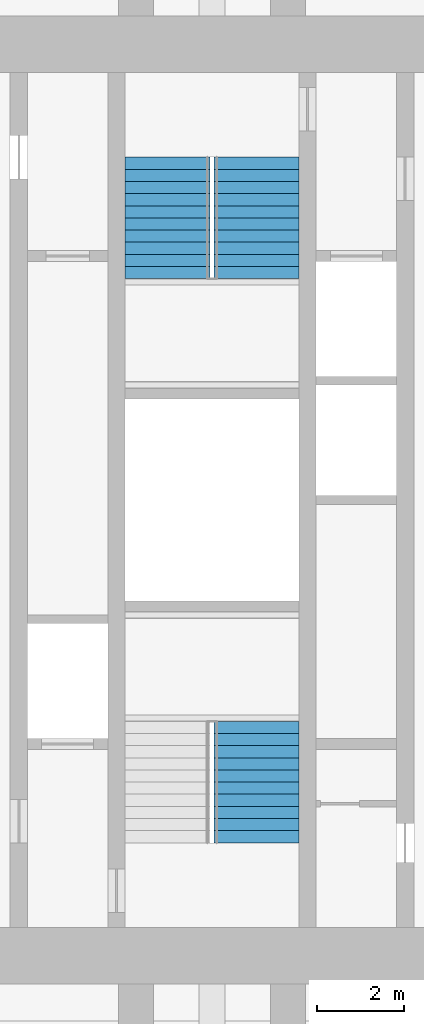
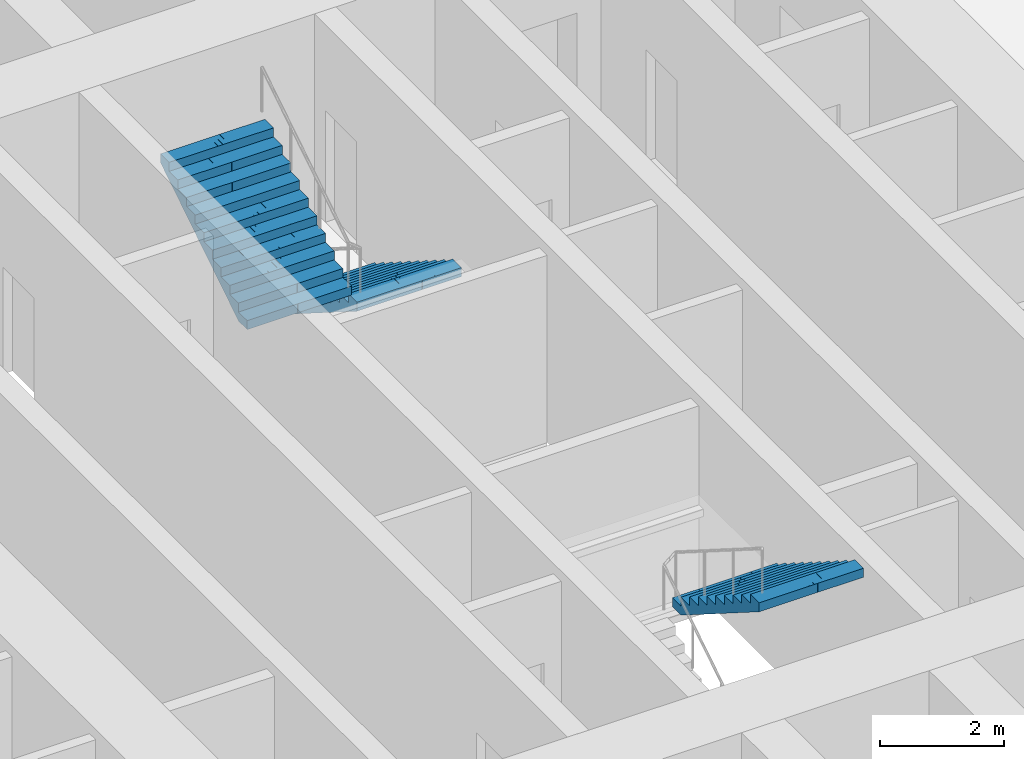
# One storey, part 16 of 17: 3 stair flights, 2 elements without a shape of their own.
"""IFC4 building model written with IfcOpenShell, lengths in metres."""

from ifc_helpers import new_model, si_unit, direction, frame, origin, place, context, subcontext, project, spatial, polyline, outline, extrude, material, type_object, element, aggregate, save


model = new_model("IFC4")

# Units and contexts
model_context = context("Model", 3, precision=1e-05, world=origin(), true_north=direction((0.0, 1.0)))
body_context = subcontext(model_context, "Body", "Model", "MODEL_VIEW")
ifc_project = project(units=[si_unit("LENGTHUNIT", "METRE"), si_unit("AREAUNIT", "SQUARE_METRE"), si_unit("VOLUMEUNIT", "CUBIC_METRE"), si_unit("PLANEANGLEUNIT", "RADIAN"), si_unit("MASSUNIT", "GRAM", prefix="KILO")], contexts=[model_context])

# Site, building, storey
site_placement = place(None, origin())
site = spatial("IfcSite", under=ifc_project, at=site_placement, CompositionType="ELEMENT")
building_placement = place(site_placement, origin())
building = spatial("IfcBuilding", under=site, at=building_placement, Name="Mizan Broadcast Tower", CompositionType="ELEMENT")
storey_placement = place(building_placement, frame((0.0, 0.0, 212.699951171875)))
storey = spatial("IfcBuildingStorey", under=building, at=storey_placement, Name="L49", CompositionType="ELEMENT", Elevation=212.699951171875)

# Stair, stair flight
ifc_material_1 = material(Name="Concrete C40/50", Category="concrete")
stair_type = type_object("IfcStairType", Name="EXIT STAIR", PredefinedType="HALF_TURN_STAIR", material=ifc_material_1)
stair_1_placement = place(storey_placement, origin())
stair_1 = element("IfcStair", 1, at=stair_1_placement, inside=storey, type_object=stair_type, Name="Stair A L49", PredefinedType="HALF_TURN_STAIR")
ifc_material_2 = material(Name="Concrete C40/50", Category="concrete")
stair_flight_type = type_object("IfcStairFlightType", Name="EXIT STAIR FLIGHT", PredefinedType="STRAIGHT", material=ifc_material_2)
stair_flight_1_placement = place(storey_placement, frame((1.02490234375, -5.10009765625, 1.949951171875), z_axis=(0.0, 0.0, 1.0), x_axis=(0.0, -1.0, 0.0)))
stair_flight_1 = element("IfcStairFlight", 2, at=stair_flight_1_placement, type_object=stair_flight_type, Name="A flight 2", NumberOfRisers=11, NumberOfTreads=10, PredefinedType="STRAIGHT", RiserHeight=0.177272727, TreadLength=0.28, context=body_context, shape_type="SweptSolid", body=[
    extrude(outline(polyline([(0.0, 0.0), (0.0, 0.17724609375), (0.280029296875, 0.17724609375), (0.280029296875, 0.3544921875), (0.56005859375, 0.3544921875), (0.56005859375, 0.53173828125), (0.840087890625, 0.53173828125), (0.840087890625, 0.708984375), (1.1201171875, 0.708984375), (1.1201171875, 0.886474609375), (1.39990234375, 0.886474609375), (1.39990234375, 1.063720703125), (1.679931640625, 1.063720703125), (1.679931640625, 1.240966796875), (1.9599609375, 1.240966796875), (1.9599609375, 1.418212890625), (2.239990234375, 1.418212890625), (2.239990234375, 1.595458984375), (2.52001953125, 1.595458984375), (2.52001953125, 1.772705078125), (2.800048828125, 1.772705078125), (2.800048828125, 1.949951171875), (2.800048828125, 1.59521484375), (0.2802734375, 0.0), (0.0, 0.0)])), frame((0.0, 0.97509765625, 0.0), z_axis=(0.0, -1.0, 0.0), x_axis=(1.0, 0.0, 0.0)), (0.0, 0.0, 1.0), 0.4873046875),
    extrude(outline(polyline([(0.0, 0.0), (0.0, 0.17724609375), (0.280029296875, 0.17724609375), (0.280029296875, 0.3544921875), (0.56005859375, 0.3544921875), (0.56005859375, 0.53173828125), (0.840087890625, 0.53173828125), (0.840087890625, 0.708984375), (1.1201171875, 0.708984375), (1.1201171875, 0.886474609375), (1.39990234375, 0.886474609375), (1.39990234375, 1.063720703125), (1.679931640625, 1.063720703125), (1.679931640625, 1.240966796875), (1.9599609375, 1.240966796875), (1.9599609375, 1.418212890625), (2.239990234375, 1.418212890625), (2.239990234375, 1.595458984375), (2.52001953125, 1.595458984375), (2.52001953125, 1.772705078125), (2.800048828125, 1.772705078125), (2.800048828125, 1.949951171875), (2.800048828125, 1.59521484375), (0.2802734375, 0.0), (0.0, 0.0)])), frame((0.0, 0.4873046875, 0.0), z_axis=(0.0, -1.0, 0.0), x_axis=(1.0, 0.0, 0.0)), (0.0, 0.0, 1.0), 0.2431640625),
    extrude(outline(polyline([(0.0, 0.0), (0.0, 0.17724609375), (0.280029296875, 0.17724609375), (0.280029296875, 0.3544921875), (0.56005859375, 0.3544921875), (0.56005859375, 0.53173828125), (0.840087890625, 0.53173828125), (0.840087890625, 0.708984375), (1.1201171875, 0.708984375), (1.1201171875, 0.886474609375), (1.39990234375, 0.886474609375), (1.39990234375, 1.063720703125), (1.679931640625, 1.063720703125), (1.679931640625, 1.240966796875), (1.9599609375, 1.240966796875), (1.9599609375, 1.418212890625), (2.239990234375, 1.418212890625), (2.239990234375, 1.595458984375), (2.52001953125, 1.595458984375), (2.52001953125, 1.772705078125), (2.800048828125, 1.772705078125), (2.800048828125, 1.949951171875), (2.800048828125, 1.59521484375), (0.2802734375, 0.0), (0.0, 0.0)])), frame((0.0, 0.24365234375, 0.0), z_axis=(0.0, -1.0, 0.0), x_axis=(1.0, 0.0, 0.0)), (0.0, 0.0, 1.0), 0.121337890625),
    extrude(outline(polyline([(0.0, 0.0), (0.0, 0.17724609375), (0.280029296875, 0.17724609375), (0.280029296875, 0.3544921875), (0.56005859375, 0.3544921875), (0.56005859375, 0.53173828125), (0.840087890625, 0.53173828125), (0.840087890625, 0.708984375), (1.1201171875, 0.708984375), (1.1201171875, 0.886474609375), (1.39990234375, 0.886474609375), (1.39990234375, 1.063720703125), (1.679931640625, 1.063720703125), (1.679931640625, 1.240966796875), (1.9599609375, 1.240966796875), (1.9599609375, 1.418212890625), (2.239990234375, 1.418212890625), (2.239990234375, 1.595458984375), (2.52001953125, 1.595458984375), (2.52001953125, 1.772705078125), (2.800048828125, 1.772705078125), (2.800048828125, 1.949951171875), (2.800048828125, 1.59521484375), (0.2802734375, 0.0), (0.0, 0.0)])), frame((0.0, 0.121826171875, 0.0), z_axis=(0.0, -1.0, 0.0), x_axis=(1.0, 0.0, 0.0)), (0.0, 0.0, 1.0), 0.060546875),
    extrude(outline(polyline([(0.0, 0.0), (0.0, 0.17724609375), (0.280029296875, 0.17724609375), (0.280029296875, 0.3544921875), (0.56005859375, 0.3544921875), (0.56005859375, 0.53173828125), (0.840087890625, 0.53173828125), (0.840087890625, 0.708984375), (1.1201171875, 0.708984375), (1.1201171875, 0.886474609375), (1.39990234375, 0.886474609375), (1.39990234375, 1.063720703125), (1.679931640625, 1.063720703125), (1.679931640625, 1.240966796875), (1.9599609375, 1.240966796875), (1.9599609375, 1.418212890625), (2.239990234375, 1.418212890625), (2.239990234375, 1.595458984375), (2.52001953125, 1.595458984375), (2.52001953125, 1.772705078125), (2.800048828125, 1.772705078125), (2.800048828125, 1.949951171875), (2.800048828125, 1.59521484375), (0.2802734375, 0.0), (0.0, 0.0)])), frame((0.0, 0.060791015625, 0.0), z_axis=(0.0, -1.0, 0.0), x_axis=(1.0, 0.0, 0.0)), (0.0, 0.0, 1.0), 0.030029296875),
    extrude(outline(polyline([(0.0, 0.0), (0.0, 0.17724609375), (0.280029296875, 0.17724609375), (0.280029296875, 0.3544921875), (0.56005859375, 0.3544921875), (0.56005859375, 0.53173828125), (0.840087890625, 0.53173828125), (0.840087890625, 0.708984375), (1.1201171875, 0.708984375), (1.1201171875, 0.886474609375), (1.39990234375, 0.886474609375), (1.39990234375, 1.063720703125), (1.679931640625, 1.063720703125), (1.679931640625, 1.240966796875), (1.9599609375, 1.240966796875), (1.9599609375, 1.418212890625), (2.239990234375, 1.418212890625), (2.239990234375, 1.595458984375), (2.52001953125, 1.595458984375), (2.52001953125, 1.772705078125), (2.800048828125, 1.772705078125), (2.800048828125, 1.949951171875), (2.800048828125, 1.59521484375), (0.2802734375, 0.0), (0.0, 0.0)])), frame((0.0, 0.0302734375, 0.0), z_axis=(0.0, -1.0, 0.0), x_axis=(1.0, 0.0, 0.0)), (0.0, 0.0, 1.0), 0.060302734375),
    extrude(outline(polyline([(0.0, 0.0), (0.0, 0.17724609375), (0.280029296875, 0.17724609375), (0.280029296875, 0.3544921875), (0.56005859375, 0.3544921875), (0.56005859375, 0.53173828125), (0.840087890625, 0.53173828125), (0.840087890625, 0.708984375), (1.1201171875, 0.708984375), (1.1201171875, 0.886474609375), (1.39990234375, 0.886474609375), (1.39990234375, 1.063720703125), (1.679931640625, 1.063720703125), (1.679931640625, 1.240966796875), (1.9599609375, 1.240966796875), (1.9599609375, 1.418212890625), (2.239990234375, 1.418212890625), (2.239990234375, 1.595458984375), (2.52001953125, 1.595458984375), (2.52001953125, 1.772705078125), (2.800048828125, 1.772705078125), (2.800048828125, 1.949951171875), (2.800048828125, 1.59521484375), (0.2802734375, 0.0), (0.0, 0.0)])), frame((0.0, -0.030517578125, 0.0), z_axis=(0.0, -1.0, 0.0), x_axis=(1.0, 0.0, 0.0)), (0.0, 0.0, 1.0), 0.030029296875),
    extrude(outline(polyline([(0.0, 0.0), (0.0, 0.17724609375), (0.280029296875, 0.17724609375), (0.280029296875, 0.3544921875), (0.56005859375, 0.3544921875), (0.56005859375, 0.53173828125), (0.840087890625, 0.53173828125), (0.840087890625, 0.708984375), (1.1201171875, 0.708984375), (1.1201171875, 0.886474609375), (1.39990234375, 0.886474609375), (1.39990234375, 1.063720703125), (1.679931640625, 1.063720703125), (1.679931640625, 1.240966796875), (1.9599609375, 1.240966796875), (1.9599609375, 1.418212890625), (2.239990234375, 1.418212890625), (2.239990234375, 1.595458984375), (2.52001953125, 1.595458984375), (2.52001953125, 1.772705078125), (2.800048828125, 1.772705078125), (2.800048828125, 1.949951171875), (2.800048828125, 1.59521484375), (0.2802734375, 0.0), (0.0, 0.0)])), frame((0.0, -0.06103515625, 0.0), z_axis=(0.0, -1.0, 0.0), x_axis=(1.0, 0.0, 0.0)), (0.0, 0.0, 1.0), 0.060546875),
    extrude(outline(polyline([(0.0, 0.0), (0.0, 0.17724609375), (0.280029296875, 0.17724609375), (0.280029296875, 0.3544921875), (0.56005859375, 0.3544921875), (0.56005859375, 0.53173828125), (0.840087890625, 0.53173828125), (0.840087890625, 0.708984375), (1.1201171875, 0.708984375), (1.1201171875, 0.886474609375), (1.39990234375, 0.886474609375), (1.39990234375, 1.063720703125), (1.679931640625, 1.063720703125), (1.679931640625, 1.240966796875), (1.9599609375, 1.240966796875), (1.9599609375, 1.418212890625), (2.239990234375, 1.418212890625), (2.239990234375, 1.595458984375), (2.52001953125, 1.595458984375), (2.52001953125, 1.772705078125), (2.800048828125, 1.772705078125), (2.800048828125, 1.949951171875), (2.800048828125, 1.59521484375), (0.2802734375, 0.0), (0.0, 0.0)])), frame((0.0, -0.1220703125, 0.0), z_axis=(0.0, -1.0, 0.0), x_axis=(1.0, 0.0, 0.0)), (0.0, 0.0, 1.0), 0.121337890625),
    extrude(outline(polyline([(0.0, 0.0), (0.0, 0.17724609375), (0.280029296875, 0.17724609375), (0.280029296875, 0.3544921875), (0.56005859375, 0.3544921875), (0.56005859375, 0.53173828125), (0.840087890625, 0.53173828125), (0.840087890625, 0.708984375), (1.1201171875, 0.708984375), (1.1201171875, 0.886474609375), (1.39990234375, 0.886474609375), (1.39990234375, 1.063720703125), (1.679931640625, 1.063720703125), (1.679931640625, 1.240966796875), (1.9599609375, 1.240966796875), (1.9599609375, 1.418212890625), (2.239990234375, 1.418212890625), (2.239990234375, 1.595458984375), (2.52001953125, 1.595458984375), (2.52001953125, 1.772705078125), (2.800048828125, 1.772705078125), (2.800048828125, 1.949951171875), (2.800048828125, 1.59521484375), (0.2802734375, 0.0), (0.0, 0.0)])), frame((0.0, -0.243896484375, 0.0), z_axis=(0.0, -1.0, 0.0), x_axis=(1.0, 0.0, 0.0)), (0.0, 0.0, 1.0), 0.2431640625),
    extrude(outline(polyline([(0.0, 0.0), (0.0, 0.17724609375), (0.280029296875, 0.17724609375), (0.280029296875, 0.3544921875), (0.56005859375, 0.3544921875), (0.56005859375, 0.53173828125), (0.840087890625, 0.53173828125), (0.840087890625, 0.708984375), (1.1201171875, 0.708984375), (1.1201171875, 0.886474609375), (1.39990234375, 0.886474609375), (1.39990234375, 1.063720703125), (1.679931640625, 1.063720703125), (1.679931640625, 1.240966796875), (1.9599609375, 1.240966796875), (1.9599609375, 1.418212890625), (2.239990234375, 1.418212890625), (2.239990234375, 1.595458984375), (2.52001953125, 1.595458984375), (2.52001953125, 1.772705078125), (2.800048828125, 1.772705078125), (2.800048828125, 1.949951171875), (2.800048828125, 1.59521484375), (0.2802734375, 0.0), (0.0, 0.0)])), frame((0.0, -0.487548828125, 0.0), z_axis=(0.0, -1.0, 0.0), x_axis=(1.0, 0.0, 0.0)), (0.0, 0.0, 1.0), 0.4873046875),
])
aggregate(stair_1, [stair_flight_1])

# Stair, stair flights
stair_2_placement = place(storey_placement, origin())
stair_2 = element("IfcStair", 3, at=stair_2_placement, inside=storey, type_object=stair_type, Name="Stair B L49", PredefinedType="HALF_TURN_STAIR")
stair_flight_2_placement = place(storey_placement, frame((1.02490234375, 7.89990234375, 0.0), z_axis=(0.0, 0.0, 1.0), x_axis=(0.0, -1.0, 0.0)))
stair_flight_2 = element("IfcStairFlight", 4, at=stair_flight_2_placement, type_object=stair_flight_type, Name="B flight 1", NumberOfRisers=11, NumberOfTreads=10, PredefinedType="STRAIGHT", RiserHeight=0.177272727, TreadLength=0.28, context=body_context, shape_type="SweptSolid", body=[
    extrude(outline(polyline([(0.0, 0.0), (0.0, 0.17724609375), (0.280029296875, 0.17724609375), (0.280029296875, 0.3544921875), (0.56005859375, 0.3544921875), (0.56005859375, 0.53173828125), (0.840087890625, 0.53173828125), (0.840087890625, 0.708984375), (1.1201171875, 0.708984375), (1.1201171875, 0.886474609375), (1.39990234375, 0.886474609375), (1.39990234375, 1.063720703125), (1.679931640625, 1.063720703125), (1.679931640625, 1.240966796875), (1.9599609375, 1.240966796875), (1.9599609375, 1.418212890625), (2.239990234375, 1.418212890625), (2.239990234375, 1.595458984375), (2.52001953125, 1.595458984375), (2.52001953125, 1.772705078125), (2.800048828125, 1.772705078125), (2.800048828125, 1.949951171875), (2.800048828125, 1.59521484375), (0.2802734375, 0.0), (0.0, 0.0)])), frame((0.0, 0.97509765625, 0.0), z_axis=(0.0, -1.0, 0.0), x_axis=(1.0, 0.0, 0.0)), (0.0, 0.0, 1.0), 0.4873046875),
    extrude(outline(polyline([(0.0, 0.0), (0.0, 0.17724609375), (0.280029296875, 0.17724609375), (0.280029296875, 0.3544921875), (0.56005859375, 0.3544921875), (0.56005859375, 0.53173828125), (0.840087890625, 0.53173828125), (0.840087890625, 0.708984375), (1.1201171875, 0.708984375), (1.1201171875, 0.886474609375), (1.39990234375, 0.886474609375), (1.39990234375, 1.063720703125), (1.679931640625, 1.063720703125), (1.679931640625, 1.240966796875), (1.9599609375, 1.240966796875), (1.9599609375, 1.418212890625), (2.239990234375, 1.418212890625), (2.239990234375, 1.595458984375), (2.52001953125, 1.595458984375), (2.52001953125, 1.772705078125), (2.800048828125, 1.772705078125), (2.800048828125, 1.949951171875), (2.800048828125, 1.59521484375), (0.2802734375, 0.0), (0.0, 0.0)])), frame((0.0, 0.4873046875, 0.0), z_axis=(0.0, -1.0, 0.0), x_axis=(1.0, 0.0, 0.0)), (0.0, 0.0, 1.0), 0.2431640625),
    extrude(outline(polyline([(0.0, 0.0), (0.0, 0.17724609375), (0.280029296875, 0.17724609375), (0.280029296875, 0.3544921875), (0.56005859375, 0.3544921875), (0.56005859375, 0.53173828125), (0.840087890625, 0.53173828125), (0.840087890625, 0.708984375), (1.1201171875, 0.708984375), (1.1201171875, 0.886474609375), (1.39990234375, 0.886474609375), (1.39990234375, 1.063720703125), (1.679931640625, 1.063720703125), (1.679931640625, 1.240966796875), (1.9599609375, 1.240966796875), (1.9599609375, 1.418212890625), (2.239990234375, 1.418212890625), (2.239990234375, 1.595458984375), (2.52001953125, 1.595458984375), (2.52001953125, 1.772705078125), (2.800048828125, 1.772705078125), (2.800048828125, 1.949951171875), (2.800048828125, 1.59521484375), (0.2802734375, 0.0), (0.0, 0.0)])), frame((0.0, 0.24365234375, 0.0), z_axis=(0.0, -1.0, 0.0), x_axis=(1.0, 0.0, 0.0)), (0.0, 0.0, 1.0), 0.121337890625),
    extrude(outline(polyline([(0.0, 0.0), (0.0, 0.17724609375), (0.280029296875, 0.17724609375), (0.280029296875, 0.3544921875), (0.56005859375, 0.3544921875), (0.56005859375, 0.53173828125), (0.840087890625, 0.53173828125), (0.840087890625, 0.708984375), (1.1201171875, 0.708984375), (1.1201171875, 0.886474609375), (1.39990234375, 0.886474609375), (1.39990234375, 1.063720703125), (1.679931640625, 1.063720703125), (1.679931640625, 1.240966796875), (1.9599609375, 1.240966796875), (1.9599609375, 1.418212890625), (2.239990234375, 1.418212890625), (2.239990234375, 1.595458984375), (2.52001953125, 1.595458984375), (2.52001953125, 1.772705078125), (2.800048828125, 1.772705078125), (2.800048828125, 1.949951171875), (2.800048828125, 1.59521484375), (0.2802734375, 0.0), (0.0, 0.0)])), frame((0.0, 0.121826171875, 0.0), z_axis=(0.0, -1.0, 0.0), x_axis=(1.0, 0.0, 0.0)), (0.0, 0.0, 1.0), 0.060546875),
    extrude(outline(polyline([(0.0, 0.0), (0.0, 0.17724609375), (0.280029296875, 0.17724609375), (0.280029296875, 0.3544921875), (0.56005859375, 0.3544921875), (0.56005859375, 0.53173828125), (0.840087890625, 0.53173828125), (0.840087890625, 0.708984375), (1.1201171875, 0.708984375), (1.1201171875, 0.886474609375), (1.39990234375, 0.886474609375), (1.39990234375, 1.063720703125), (1.679931640625, 1.063720703125), (1.679931640625, 1.240966796875), (1.9599609375, 1.240966796875), (1.9599609375, 1.418212890625), (2.239990234375, 1.418212890625), (2.239990234375, 1.595458984375), (2.52001953125, 1.595458984375), (2.52001953125, 1.772705078125), (2.800048828125, 1.772705078125), (2.800048828125, 1.949951171875), (2.800048828125, 1.59521484375), (0.2802734375, 0.0), (0.0, 0.0)])), frame((0.0, 0.060791015625, 0.0), z_axis=(0.0, -1.0, 0.0), x_axis=(1.0, 0.0, 0.0)), (0.0, 0.0, 1.0), 0.030029296875),
    extrude(outline(polyline([(0.0, 0.0), (0.0, 0.17724609375), (0.280029296875, 0.17724609375), (0.280029296875, 0.3544921875), (0.56005859375, 0.3544921875), (0.56005859375, 0.53173828125), (0.840087890625, 0.53173828125), (0.840087890625, 0.708984375), (1.1201171875, 0.708984375), (1.1201171875, 0.886474609375), (1.39990234375, 0.886474609375), (1.39990234375, 1.063720703125), (1.679931640625, 1.063720703125), (1.679931640625, 1.240966796875), (1.9599609375, 1.240966796875), (1.9599609375, 1.418212890625), (2.239990234375, 1.418212890625), (2.239990234375, 1.595458984375), (2.52001953125, 1.595458984375), (2.52001953125, 1.772705078125), (2.800048828125, 1.772705078125), (2.800048828125, 1.949951171875), (2.800048828125, 1.59521484375), (0.2802734375, 0.0), (0.0, 0.0)])), frame((0.0, 0.0302734375, 0.0), z_axis=(0.0, -1.0, 0.0), x_axis=(1.0, 0.0, 0.0)), (0.0, 0.0, 1.0), 0.060302734375),
    extrude(outline(polyline([(0.0, 0.0), (0.0, 0.17724609375), (0.280029296875, 0.17724609375), (0.280029296875, 0.3544921875), (0.56005859375, 0.3544921875), (0.56005859375, 0.53173828125), (0.840087890625, 0.53173828125), (0.840087890625, 0.708984375), (1.1201171875, 0.708984375), (1.1201171875, 0.886474609375), (1.39990234375, 0.886474609375), (1.39990234375, 1.063720703125), (1.679931640625, 1.063720703125), (1.679931640625, 1.240966796875), (1.9599609375, 1.240966796875), (1.9599609375, 1.418212890625), (2.239990234375, 1.418212890625), (2.239990234375, 1.595458984375), (2.52001953125, 1.595458984375), (2.52001953125, 1.772705078125), (2.800048828125, 1.772705078125), (2.800048828125, 1.949951171875), (2.800048828125, 1.59521484375), (0.2802734375, 0.0), (0.0, 0.0)])), frame((0.0, -0.030517578125, 0.0), z_axis=(0.0, -1.0, 0.0), x_axis=(1.0, 0.0, 0.0)), (0.0, 0.0, 1.0), 0.030029296875),
    extrude(outline(polyline([(0.0, 0.0), (0.0, 0.17724609375), (0.280029296875, 0.17724609375), (0.280029296875, 0.3544921875), (0.56005859375, 0.3544921875), (0.56005859375, 0.53173828125), (0.840087890625, 0.53173828125), (0.840087890625, 0.708984375), (1.1201171875, 0.708984375), (1.1201171875, 0.886474609375), (1.39990234375, 0.886474609375), (1.39990234375, 1.063720703125), (1.679931640625, 1.063720703125), (1.679931640625, 1.240966796875), (1.9599609375, 1.240966796875), (1.9599609375, 1.418212890625), (2.239990234375, 1.418212890625), (2.239990234375, 1.595458984375), (2.52001953125, 1.595458984375), (2.52001953125, 1.772705078125), (2.800048828125, 1.772705078125), (2.800048828125, 1.949951171875), (2.800048828125, 1.59521484375), (0.2802734375, 0.0), (0.0, 0.0)])), frame((0.0, -0.06103515625, 0.0), z_axis=(0.0, -1.0, 0.0), x_axis=(1.0, 0.0, 0.0)), (0.0, 0.0, 1.0), 0.060546875),
    extrude(outline(polyline([(0.0, 0.0), (0.0, 0.17724609375), (0.280029296875, 0.17724609375), (0.280029296875, 0.3544921875), (0.56005859375, 0.3544921875), (0.56005859375, 0.53173828125), (0.840087890625, 0.53173828125), (0.840087890625, 0.708984375), (1.1201171875, 0.708984375), (1.1201171875, 0.886474609375), (1.39990234375, 0.886474609375), (1.39990234375, 1.063720703125), (1.679931640625, 1.063720703125), (1.679931640625, 1.240966796875), (1.9599609375, 1.240966796875), (1.9599609375, 1.418212890625), (2.239990234375, 1.418212890625), (2.239990234375, 1.595458984375), (2.52001953125, 1.595458984375), (2.52001953125, 1.772705078125), (2.800048828125, 1.772705078125), (2.800048828125, 1.949951171875), (2.800048828125, 1.59521484375), (0.2802734375, 0.0), (0.0, 0.0)])), frame((0.0, -0.1220703125, 0.0), z_axis=(0.0, -1.0, 0.0), x_axis=(1.0, 0.0, 0.0)), (0.0, 0.0, 1.0), 0.121337890625),
    extrude(outline(polyline([(0.0, 0.0), (0.0, 0.17724609375), (0.280029296875, 0.17724609375), (0.280029296875, 0.3544921875), (0.56005859375, 0.3544921875), (0.56005859375, 0.53173828125), (0.840087890625, 0.53173828125), (0.840087890625, 0.708984375), (1.1201171875, 0.708984375), (1.1201171875, 0.886474609375), (1.39990234375, 0.886474609375), (1.39990234375, 1.063720703125), (1.679931640625, 1.063720703125), (1.679931640625, 1.240966796875), (1.9599609375, 1.240966796875), (1.9599609375, 1.418212890625), (2.239990234375, 1.418212890625), (2.239990234375, 1.595458984375), (2.52001953125, 1.595458984375), (2.52001953125, 1.772705078125), (2.800048828125, 1.772705078125), (2.800048828125, 1.949951171875), (2.800048828125, 1.59521484375), (0.2802734375, 0.0), (0.0, 0.0)])), frame((0.0, -0.243896484375, 0.0), z_axis=(0.0, -1.0, 0.0), x_axis=(1.0, 0.0, 0.0)), (0.0, 0.0, 1.0), 0.2431640625),
    extrude(outline(polyline([(0.0, 0.0), (0.0, 0.17724609375), (0.280029296875, 0.17724609375), (0.280029296875, 0.3544921875), (0.56005859375, 0.3544921875), (0.56005859375, 0.53173828125), (0.840087890625, 0.53173828125), (0.840087890625, 0.708984375), (1.1201171875, 0.708984375), (1.1201171875, 0.886474609375), (1.39990234375, 0.886474609375), (1.39990234375, 1.063720703125), (1.679931640625, 1.063720703125), (1.679931640625, 1.240966796875), (1.9599609375, 1.240966796875), (1.9599609375, 1.418212890625), (2.239990234375, 1.418212890625), (2.239990234375, 1.595458984375), (2.52001953125, 1.595458984375), (2.52001953125, 1.772705078125), (2.800048828125, 1.772705078125), (2.800048828125, 1.949951171875), (2.800048828125, 1.59521484375), (0.2802734375, 0.0), (0.0, 0.0)])), frame((0.0, -0.487548828125, 0.0), z_axis=(0.0, -1.0, 0.0), x_axis=(1.0, 0.0, 0.0)), (0.0, 0.0, 1.0), 0.4873046875),
])
stair_flight_3_placement = place(storey_placement, frame((-1.02490234375, 5.10009765625, 1.949951171875), z_axis=(0.0, 0.0, 1.0), x_axis=(0.0, 1.0, 0.0)))
stair_flight_3 = element("IfcStairFlight", 5, at=stair_flight_3_placement, type_object=stair_flight_type, Name="B flight 2", NumberOfRisers=11, NumberOfTreads=10, PredefinedType="STRAIGHT", RiserHeight=0.177272727, TreadLength=0.28, context=body_context, shape_type="SweptSolid", body=[
    extrude(outline(polyline([(0.0, 0.0), (0.0, 0.17724609375), (0.280029296875, 0.17724609375), (0.280029296875, 0.3544921875), (0.56005859375, 0.3544921875), (0.56005859375, 0.53173828125), (0.840087890625, 0.53173828125), (0.840087890625, 0.708984375), (1.1201171875, 0.708984375), (1.1201171875, 0.886474609375), (1.39990234375, 0.886474609375), (1.39990234375, 1.063720703125), (1.679931640625, 1.063720703125), (1.679931640625, 1.240966796875), (1.9599609375, 1.240966796875), (1.9599609375, 1.418212890625), (2.239990234375, 1.418212890625), (2.239990234375, 1.595458984375), (2.52001953125, 1.595458984375), (2.52001953125, 1.772705078125), (2.800048828125, 1.772705078125), (2.800048828125, 1.949951171875), (2.800048828125, 1.59521484375), (0.2802734375, 0.0), (0.0, 0.0)])), frame((0.0, 0.97509765625, 0.0), z_axis=(0.0, -1.0, 0.0), x_axis=(1.0, 0.0, 0.0)), (0.0, 0.0, 1.0), 0.4873046875),
    extrude(outline(polyline([(0.0, 0.0), (0.0, 0.17724609375), (0.280029296875, 0.17724609375), (0.280029296875, 0.3544921875), (0.56005859375, 0.3544921875), (0.56005859375, 0.53173828125), (0.840087890625, 0.53173828125), (0.840087890625, 0.708984375), (1.1201171875, 0.708984375), (1.1201171875, 0.886474609375), (1.39990234375, 0.886474609375), (1.39990234375, 1.063720703125), (1.679931640625, 1.063720703125), (1.679931640625, 1.240966796875), (1.9599609375, 1.240966796875), (1.9599609375, 1.418212890625), (2.239990234375, 1.418212890625), (2.239990234375, 1.595458984375), (2.52001953125, 1.595458984375), (2.52001953125, 1.772705078125), (2.800048828125, 1.772705078125), (2.800048828125, 1.949951171875), (2.800048828125, 1.59521484375), (0.2802734375, 0.0), (0.0, 0.0)])), frame((0.0, 0.4873046875, 0.0), z_axis=(0.0, -1.0, 0.0), x_axis=(1.0, 0.0, 0.0)), (0.0, 0.0, 1.0), 0.2431640625),
    extrude(outline(polyline([(0.0, 0.0), (0.0, 0.17724609375), (0.280029296875, 0.17724609375), (0.280029296875, 0.3544921875), (0.56005859375, 0.3544921875), (0.56005859375, 0.53173828125), (0.840087890625, 0.53173828125), (0.840087890625, 0.708984375), (1.1201171875, 0.708984375), (1.1201171875, 0.886474609375), (1.39990234375, 0.886474609375), (1.39990234375, 1.063720703125), (1.679931640625, 1.063720703125), (1.679931640625, 1.240966796875), (1.9599609375, 1.240966796875), (1.9599609375, 1.418212890625), (2.239990234375, 1.418212890625), (2.239990234375, 1.595458984375), (2.52001953125, 1.595458984375), (2.52001953125, 1.772705078125), (2.800048828125, 1.772705078125), (2.800048828125, 1.949951171875), (2.800048828125, 1.59521484375), (0.2802734375, 0.0), (0.0, 0.0)])), frame((0.0, 0.24365234375, 0.0), z_axis=(0.0, -1.0, 0.0), x_axis=(1.0, 0.0, 0.0)), (0.0, 0.0, 1.0), 0.121337890625),
    extrude(outline(polyline([(0.0, 0.0), (0.0, 0.17724609375), (0.280029296875, 0.17724609375), (0.280029296875, 0.3544921875), (0.56005859375, 0.3544921875), (0.56005859375, 0.53173828125), (0.840087890625, 0.53173828125), (0.840087890625, 0.708984375), (1.1201171875, 0.708984375), (1.1201171875, 0.886474609375), (1.39990234375, 0.886474609375), (1.39990234375, 1.063720703125), (1.679931640625, 1.063720703125), (1.679931640625, 1.240966796875), (1.9599609375, 1.240966796875), (1.9599609375, 1.418212890625), (2.239990234375, 1.418212890625), (2.239990234375, 1.595458984375), (2.52001953125, 1.595458984375), (2.52001953125, 1.772705078125), (2.800048828125, 1.772705078125), (2.800048828125, 1.949951171875), (2.800048828125, 1.59521484375), (0.2802734375, 0.0), (0.0, 0.0)])), frame((0.0, 0.121826171875, 0.0), z_axis=(0.0, -1.0, 0.0), x_axis=(1.0, 0.0, 0.0)), (0.0, 0.0, 1.0), 0.060546875),
    extrude(outline(polyline([(0.0, 0.0), (0.0, 0.17724609375), (0.280029296875, 0.17724609375), (0.280029296875, 0.3544921875), (0.56005859375, 0.3544921875), (0.56005859375, 0.53173828125), (0.840087890625, 0.53173828125), (0.840087890625, 0.708984375), (1.1201171875, 0.708984375), (1.1201171875, 0.886474609375), (1.39990234375, 0.886474609375), (1.39990234375, 1.063720703125), (1.679931640625, 1.063720703125), (1.679931640625, 1.240966796875), (1.9599609375, 1.240966796875), (1.9599609375, 1.418212890625), (2.239990234375, 1.418212890625), (2.239990234375, 1.595458984375), (2.52001953125, 1.595458984375), (2.52001953125, 1.772705078125), (2.800048828125, 1.772705078125), (2.800048828125, 1.949951171875), (2.800048828125, 1.59521484375), (0.2802734375, 0.0), (0.0, 0.0)])), frame((0.0, 0.060791015625, 0.0), z_axis=(0.0, -1.0, 0.0), x_axis=(1.0, 0.0, 0.0)), (0.0, 0.0, 1.0), 0.030029296875),
    extrude(outline(polyline([(0.0, 0.0), (0.0, 0.17724609375), (0.280029296875, 0.17724609375), (0.280029296875, 0.3544921875), (0.56005859375, 0.3544921875), (0.56005859375, 0.53173828125), (0.840087890625, 0.53173828125), (0.840087890625, 0.708984375), (1.1201171875, 0.708984375), (1.1201171875, 0.886474609375), (1.39990234375, 0.886474609375), (1.39990234375, 1.063720703125), (1.679931640625, 1.063720703125), (1.679931640625, 1.240966796875), (1.9599609375, 1.240966796875), (1.9599609375, 1.418212890625), (2.239990234375, 1.418212890625), (2.239990234375, 1.595458984375), (2.52001953125, 1.595458984375), (2.52001953125, 1.772705078125), (2.800048828125, 1.772705078125), (2.800048828125, 1.949951171875), (2.800048828125, 1.59521484375), (0.2802734375, 0.0), (0.0, 0.0)])), frame((0.0, 0.0302734375, 0.0), z_axis=(0.0, -1.0, 0.0), x_axis=(1.0, 0.0, 0.0)), (0.0, 0.0, 1.0), 0.060302734375),
    extrude(outline(polyline([(0.0, 0.0), (0.0, 0.17724609375), (0.280029296875, 0.17724609375), (0.280029296875, 0.3544921875), (0.56005859375, 0.3544921875), (0.56005859375, 0.53173828125), (0.840087890625, 0.53173828125), (0.840087890625, 0.708984375), (1.1201171875, 0.708984375), (1.1201171875, 0.886474609375), (1.39990234375, 0.886474609375), (1.39990234375, 1.063720703125), (1.679931640625, 1.063720703125), (1.679931640625, 1.240966796875), (1.9599609375, 1.240966796875), (1.9599609375, 1.418212890625), (2.239990234375, 1.418212890625), (2.239990234375, 1.595458984375), (2.52001953125, 1.595458984375), (2.52001953125, 1.772705078125), (2.800048828125, 1.772705078125), (2.800048828125, 1.949951171875), (2.800048828125, 1.59521484375), (0.2802734375, 0.0), (0.0, 0.0)])), frame((0.0, -0.030517578125, 0.0), z_axis=(0.0, -1.0, 0.0), x_axis=(1.0, 0.0, 0.0)), (0.0, 0.0, 1.0), 0.030029296875),
    extrude(outline(polyline([(0.0, 0.0), (0.0, 0.17724609375), (0.280029296875, 0.17724609375), (0.280029296875, 0.3544921875), (0.56005859375, 0.3544921875), (0.56005859375, 0.53173828125), (0.840087890625, 0.53173828125), (0.840087890625, 0.708984375), (1.1201171875, 0.708984375), (1.1201171875, 0.886474609375), (1.39990234375, 0.886474609375), (1.39990234375, 1.063720703125), (1.679931640625, 1.063720703125), (1.679931640625, 1.240966796875), (1.9599609375, 1.240966796875), (1.9599609375, 1.418212890625), (2.239990234375, 1.418212890625), (2.239990234375, 1.595458984375), (2.52001953125, 1.595458984375), (2.52001953125, 1.772705078125), (2.800048828125, 1.772705078125), (2.800048828125, 1.949951171875), (2.800048828125, 1.59521484375), (0.2802734375, 0.0), (0.0, 0.0)])), frame((0.0, -0.06103515625, 0.0), z_axis=(0.0, -1.0, 0.0), x_axis=(1.0, 0.0, 0.0)), (0.0, 0.0, 1.0), 0.060546875),
    extrude(outline(polyline([(0.0, 0.0), (0.0, 0.17724609375), (0.280029296875, 0.17724609375), (0.280029296875, 0.3544921875), (0.56005859375, 0.3544921875), (0.56005859375, 0.53173828125), (0.840087890625, 0.53173828125), (0.840087890625, 0.708984375), (1.1201171875, 0.708984375), (1.1201171875, 0.886474609375), (1.39990234375, 0.886474609375), (1.39990234375, 1.063720703125), (1.679931640625, 1.063720703125), (1.679931640625, 1.240966796875), (1.9599609375, 1.240966796875), (1.9599609375, 1.418212890625), (2.239990234375, 1.418212890625), (2.239990234375, 1.595458984375), (2.52001953125, 1.595458984375), (2.52001953125, 1.772705078125), (2.800048828125, 1.772705078125), (2.800048828125, 1.949951171875), (2.800048828125, 1.59521484375), (0.2802734375, 0.0), (0.0, 0.0)])), frame((0.0, -0.1220703125, 0.0), z_axis=(0.0, -1.0, 0.0), x_axis=(1.0, 0.0, 0.0)), (0.0, 0.0, 1.0), 0.121337890625),
    extrude(outline(polyline([(0.0, 0.0), (0.0, 0.17724609375), (0.280029296875, 0.17724609375), (0.280029296875, 0.3544921875), (0.56005859375, 0.3544921875), (0.56005859375, 0.53173828125), (0.840087890625, 0.53173828125), (0.840087890625, 0.708984375), (1.1201171875, 0.708984375), (1.1201171875, 0.886474609375), (1.39990234375, 0.886474609375), (1.39990234375, 1.063720703125), (1.679931640625, 1.063720703125), (1.679931640625, 1.240966796875), (1.9599609375, 1.240966796875), (1.9599609375, 1.418212890625), (2.239990234375, 1.418212890625), (2.239990234375, 1.595458984375), (2.52001953125, 1.595458984375), (2.52001953125, 1.772705078125), (2.800048828125, 1.772705078125), (2.800048828125, 1.949951171875), (2.800048828125, 1.59521484375), (0.2802734375, 0.0), (0.0, 0.0)])), frame((0.0, -0.243896484375, 0.0), z_axis=(0.0, -1.0, 0.0), x_axis=(1.0, 0.0, 0.0)), (0.0, 0.0, 1.0), 0.2431640625),
    extrude(outline(polyline([(0.0, 0.0), (0.0, 0.17724609375), (0.280029296875, 0.17724609375), (0.280029296875, 0.3544921875), (0.56005859375, 0.3544921875), (0.56005859375, 0.53173828125), (0.840087890625, 0.53173828125), (0.840087890625, 0.708984375), (1.1201171875, 0.708984375), (1.1201171875, 0.886474609375), (1.39990234375, 0.886474609375), (1.39990234375, 1.063720703125), (1.679931640625, 1.063720703125), (1.679931640625, 1.240966796875), (1.9599609375, 1.240966796875), (1.9599609375, 1.418212890625), (2.239990234375, 1.418212890625), (2.239990234375, 1.595458984375), (2.52001953125, 1.595458984375), (2.52001953125, 1.772705078125), (2.800048828125, 1.772705078125), (2.800048828125, 1.949951171875), (2.800048828125, 1.59521484375), (0.2802734375, 0.0), (0.0, 0.0)])), frame((0.0, -0.487548828125, 0.0), z_axis=(0.0, -1.0, 0.0), x_axis=(1.0, 0.0, 0.0)), (0.0, 0.0, 1.0), 0.4873046875),
])
aggregate(stair_2, [stair_flight_2, stair_flight_3])

save(model, "model.ifc")
